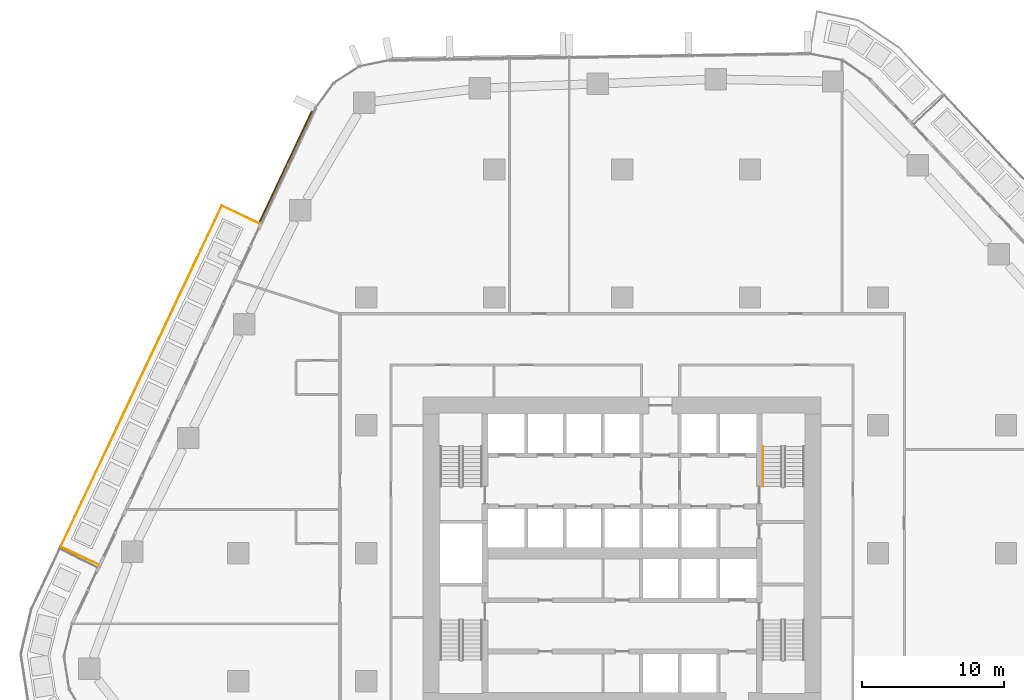
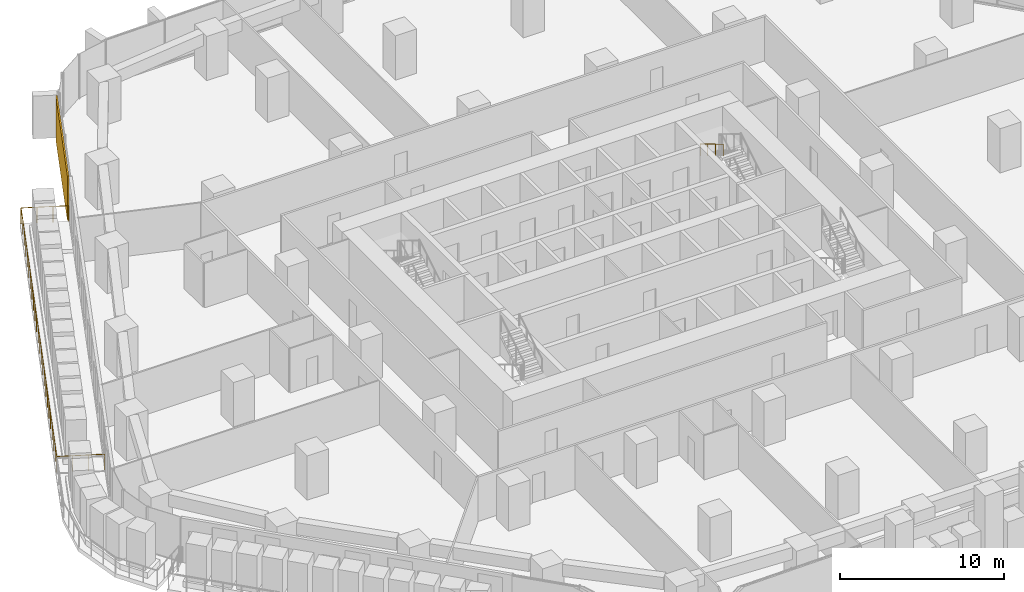
# One storey, part 23 of 25: 2 railings, 1 covering, 1 element without a shape of its own.
"""IFC4 building model written with IfcOpenShell, lengths in metres."""

from ifc_helpers import new_model, si_unit, direction, frame, origin, origin_2d, place, context, subcontext, project, spatial, rectangle, circle, extrude, material, layer, layer_set, type_object, element, aggregate, save


model = new_model("IFC4")

# Units and contexts
model_context = context("Model", 3, precision=1e-05, world=origin(), true_north=direction((0.0, 1.0)))
body_context = subcontext(model_context, "Body", "Model", "MODEL_VIEW")
ifc_project = project(units=[si_unit("LENGTHUNIT", "METRE"), si_unit("AREAUNIT", "SQUARE_METRE"), si_unit("VOLUMEUNIT", "CUBIC_METRE"), si_unit("PLANEANGLEUNIT", "RADIAN"), si_unit("MASSUNIT", "GRAM", prefix="KILO")], contexts=[model_context])

# Site, building, storey
site_placement = place(None, origin())
site = spatial("IfcSite", under=ifc_project, at=site_placement, CompositionType="ELEMENT")
building_placement = place(site_placement, origin())
building = spatial("IfcBuilding", under=site, at=building_placement, Name="Dongbaek Canopy Tower", CompositionType="ELEMENT")
storey_placement = place(building_placement, frame((0.0, 0.0, 81.0)))
storey = spatial("IfcBuildingStorey", under=building, at=storey_placement, Name="L16", CompositionType="ELEMENT", Elevation=81.0)

# Railing
ifc_material_1 = material(Name="Stainless steel", Category="steel")
railing_type_1 = type_object("IfcRailingType", Name="Balcony balustrade 1200", PredefinedType="BALUSTRADE", material=ifc_material_1)
railing_1_placement = place(storey_placement, frame((-25.505615234375, 23.1962890625, 0.0)))
element("IfcRailing", 1, at=railing_1_placement, inside=storey, type_object=railing_type_1, Name="Balcony guard L16 2", PredefinedType="BALUSTRADE", context=body_context, shape_type="SweptSolid", body=[
    extrude(circle(Radius=0.02392578125, at=origin_2d()), frame((0.0, 0.0, 1.17578125), z_axis=(-0.904170251662, 0.427172279073, 0.0), x_axis=(-0.427172279073, -0.904170251662, 0.0)), (0.0, 0.0, 1.0), 2.93994140625),
    extrude(circle(Radius=0.02392578125, at=origin_2d()), frame((-2.658203125, 1.255859375, 1.17578125), z_axis=(-0.427154080791, -0.904178849157, 0.0), x_axis=(0.904178849157, -0.427154080791, 0.0)), (0.0, 0.0, 1.0), 26.528564453125),
    extrude(circle(Radius=0.02392578125, at=origin_2d()), frame((-13.989990234375, -22.730712890625, 1.17578125), z_axis=(0.904170251662, -0.427172279073, 0.0), x_axis=(0.427172279073, 0.904170251662, 0.0)), (0.0, 0.0, 1.0), 2.93994140625),
    extrude(circle(Radius=0.02099609375, at=origin_2d()), origin(), (0.0, 0.0, 1.0), 1.15185546875),
    extrude(circle(Radius=0.02099609375, at=origin_2d()), frame((-0.885986328125, 0.418701171875, 0.0)), (0.0, 0.0, 1.0), 1.15185546875),
    extrude(circle(Radius=0.02099609375, at=origin_2d()), frame((-1.772216796875, 0.837158203125, 0.0)), (0.0, 0.0, 1.0), 1.15185546875),
    extrude(circle(Radius=0.02099609375, at=origin_2d()), frame((-2.658203125, 1.255859375, 0.0)), (0.0, 0.0, 1.0), 1.15185546875),
    extrude(circle(Radius=0.02099609375, at=origin_2d()), frame((-3.15087890625, 0.212890625, 0.0)), (0.0, 0.0, 1.0), 1.15185546875),
    extrude(circle(Radius=0.02099609375, at=origin_2d()), frame((-3.6435546875, -0.829833984375, 0.0)), (0.0, 0.0, 1.0), 1.15185546875),
    extrude(circle(Radius=0.02099609375, at=origin_2d()), frame((-4.13623046875, -1.872802734375, 0.0)), (0.0, 0.0, 1.0), 1.15185546875),
    extrude(circle(Radius=0.02099609375, at=origin_2d()), frame((-4.62890625, -2.915771484375, 0.0)), (0.0, 0.0, 1.0), 1.15185546875),
    extrude(circle(Radius=0.02099609375, at=origin_2d()), frame((-5.12158203125, -3.95849609375, 0.0)), (0.0, 0.0, 1.0), 1.15185546875),
    extrude(circle(Radius=0.02099609375, at=origin_2d()), frame((-5.6142578125, -5.00146484375, 0.0)), (0.0, 0.0, 1.0), 1.15185546875),
    extrude(circle(Radius=0.02099609375, at=origin_2d()), frame((-6.10693359375, -6.04443359375, 0.0)), (0.0, 0.0, 1.0), 1.15185546875),
    extrude(circle(Radius=0.02099609375, at=origin_2d()), frame((-6.599609375, -7.08740234375, 0.0)), (0.0, 0.0, 1.0), 1.15185546875),
    extrude(circle(Radius=0.02099609375, at=origin_2d()), frame((-7.09228515625, -8.130126953125, 0.0)), (0.0, 0.0, 1.0), 1.15185546875),
    extrude(circle(Radius=0.02099609375, at=origin_2d()), frame((-7.5849609375, -9.173095703125, 0.0)), (0.0, 0.0, 1.0), 1.15185546875),
    extrude(circle(Radius=0.02099609375, at=origin_2d()), frame((-8.07763671875, -10.216064453125, 0.0)), (0.0, 0.0, 1.0), 1.15185546875),
    extrude(circle(Radius=0.02099609375, at=origin_2d()), frame((-8.570556640625, -11.2587890625, 0.0)), (0.0, 0.0, 1.0), 1.15185546875),
    extrude(circle(Radius=0.02099609375, at=origin_2d()), frame((-9.063232421875, -12.3017578125, 0.0)), (0.0, 0.0, 1.0), 1.15185546875),
    extrude(circle(Radius=0.02099609375, at=origin_2d()), frame((-9.555908203125, -13.3447265625, 0.0)), (0.0, 0.0, 1.0), 1.15185546875),
    extrude(circle(Radius=0.02099609375, at=origin_2d()), frame((-10.048583984375, -14.387451171875, 0.0)), (0.0, 0.0, 1.0), 1.15185546875),
    extrude(circle(Radius=0.02099609375, at=origin_2d()), frame((-10.541259765625, -15.430419921875, 0.0)), (0.0, 0.0, 1.0), 1.15185546875),
    extrude(circle(Radius=0.02099609375, at=origin_2d()), frame((-11.033935546875, -16.473388671875, 0.0)), (0.0, 0.0, 1.0), 1.15185546875),
    extrude(circle(Radius=0.02099609375, at=origin_2d()), frame((-11.526611328125, -17.516357421875, 0.0)), (0.0, 0.0, 1.0), 1.15185546875),
    extrude(circle(Radius=0.02099609375, at=origin_2d()), frame((-12.019287109375, -18.55908203125, 0.0)), (0.0, 0.0, 1.0), 1.15185546875),
    extrude(circle(Radius=0.02099609375, at=origin_2d()), frame((-12.511962890625, -19.60205078125, 0.0)), (0.0, 0.0, 1.0), 1.15185546875),
    extrude(circle(Radius=0.02099609375, at=origin_2d()), frame((-13.004638671875, -20.64501953125, 0.0)), (0.0, 0.0, 1.0), 1.15185546875),
    extrude(circle(Radius=0.02099609375, at=origin_2d()), frame((-13.497314453125, -21.687744140625, 0.0)), (0.0, 0.0, 1.0), 1.15185546875),
    extrude(circle(Radius=0.02099609375, at=origin_2d()), frame((-13.989990234375, -22.730712890625, 0.0)), (0.0, 0.0, 1.0), 1.15185546875),
    extrude(circle(Radius=0.02099609375, at=origin_2d()), frame((-13.10400390625, -23.1494140625, 0.0)), (0.0, 0.0, 1.0), 1.15185546875),
    extrude(circle(Radius=0.02099609375, at=origin_2d()), frame((-12.2177734375, -23.56787109375, 0.0)), (0.0, 0.0, 1.0), 1.15185546875),
    extrude(circle(Radius=0.02099609375, at=origin_2d()), frame((-11.331787109375, -23.986572265625, 0.0)), (0.0, 0.0, 1.0), 1.15185546875),
])

# Curtain wall, covering
ifc_material_2 = material(Name="Aluminium 6063-T6 pale anodised", Category="aluminium")
ifc_layer_1 = layer(ifc_material_2, 0.199951171875)
ifc_layer_set_1 = layer_set([ifc_layer_1], Name="CW-1 unitised tower curtain wall")
curtain_wall_type = type_object("IfcCurtainWallType", Name="CW-1 unitised tower curtain wall", PredefinedType="NOTDEFINED", material=ifc_layer_set_1)
curtain_wall_placement = place(storey_placement, origin())
curtain_wall = element("IfcCurtainWall", 2, at=curtain_wall_placement, inside=storey, type_object=curtain_wall_type, Name="CW-1 curtain wall F2.1", PredefinedType="NOTDEFINED")
ifc_material_3 = material(Name="Perforated aluminium 6063-T6 pale metal screen", Category="aluminium")
ifc_layer_2 = layer(ifc_material_3, 0.10009765625)
ifc_layer_set_2 = layer_set([ifc_layer_2], Name="Facet screen FS1 100 pale metal")
covering_type = type_object("IfcCoveringType", Name="Facet screen FS1 100 pale metal", PredefinedType="CLADDING", material=ifc_layer_set_2)
covering_placement = place(storey_placement, frame((-23.65966796875, 27.211181640625, 0.0), z_axis=(0.0, 0.0, 1.0), x_axis=(-0.427157456832, -0.904177254233, 0.0)))
covering = element("IfcCovering", 3, at=covering_placement, type_object=covering_type, Name="Facet screen L16 F2", PredefinedType="CLADDING", context=body_context, shape_type="SweptSolid", body=[
    extrude(rectangle(XDim=8.616943359375, YDim=0.10009765625, at=origin_2d()), origin(), (0.0, 0.0, 1.0), 3.300048828125),
])
aggregate(curtain_wall, [covering])

# Railing
ifc_material_4 = material(Name="Stainless steel tube", Category="steel")
railing_type_2 = type_object("IfcRailingType", Name="Stair handrail 900", PredefinedType="HANDRAIL", material=ifc_material_4)
railing_2_placement = place(storey_placement, frame((9.89990234375, 7.5, 2.01806640625)))
element("IfcRailing", 4, at=railing_2_placement, inside=storey, type_object=railing_type_2, Name="L16 ST-A stair handrail 2", PredefinedType="HANDRAIL", context=body_context, shape_type="SweptSolid", body=[
    extrude(circle(Radius=0.02392578125, at=origin_2d()), frame((0.0, 0.0, 0.8759765625), z_axis=(0.0, -0.857242210791, 0.514913383045), x_axis=(1.0, 0.0, 0.0)), (0.0, 0.0, 1.0), 3.266357421875),
    extrude(circle(Radius=0.02099609375, at=origin_2d()), origin(), (0.0, 0.0, 1.0), 0.851806640625),
    extrude(circle(Radius=0.02099609375, at=origin_2d()), frame((0.0, -0.933349609375, 0.560546875)), (0.0, 0.0, 1.0), 0.851806640625),
    extrude(circle(Radius=0.02099609375, at=origin_2d()), frame((0.0, -1.86669921875, 1.121337890625)), (0.0, 0.0, 1.0), 0.851806640625),
    extrude(circle(Radius=0.02099609375, at=origin_2d()), frame((0.0, -2.800048828125, 1.681884765625)), (0.0, 0.0, 1.0), 0.851806640625),
])

save(model, "model.ifc")
